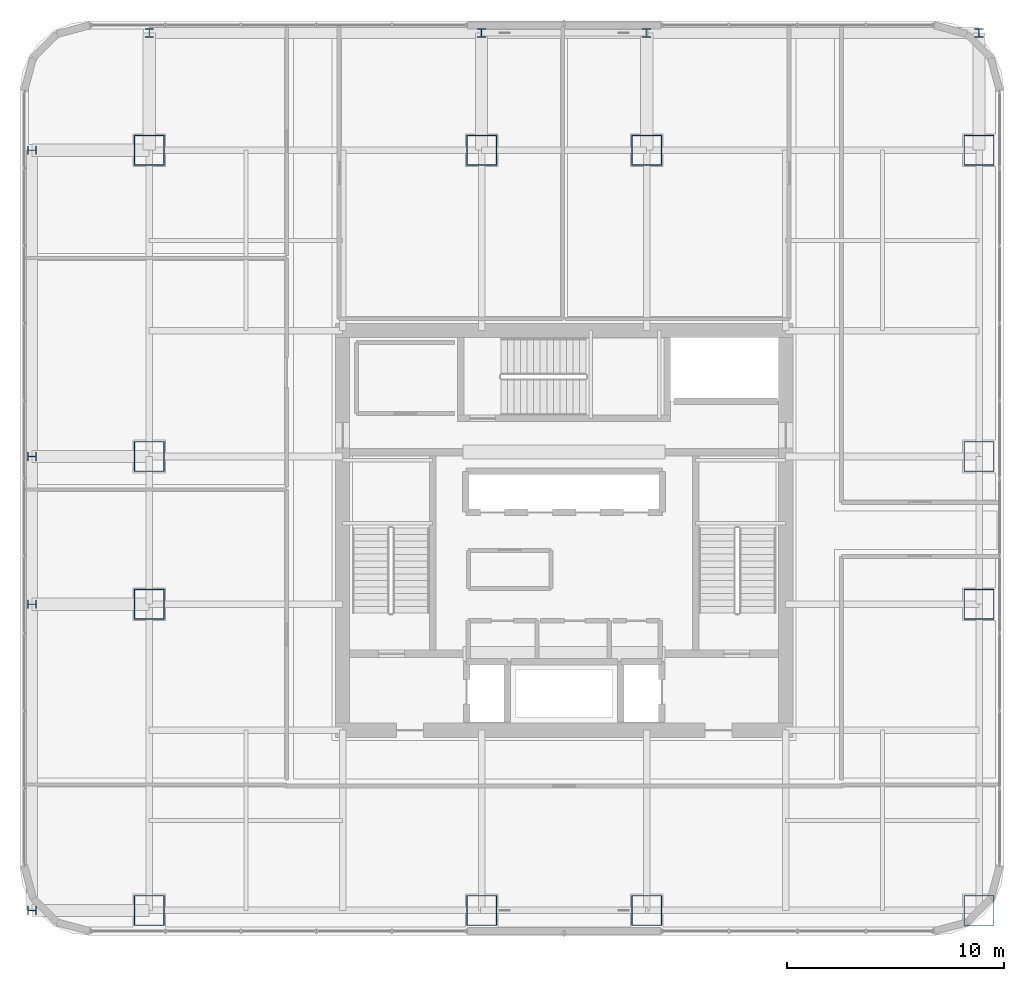
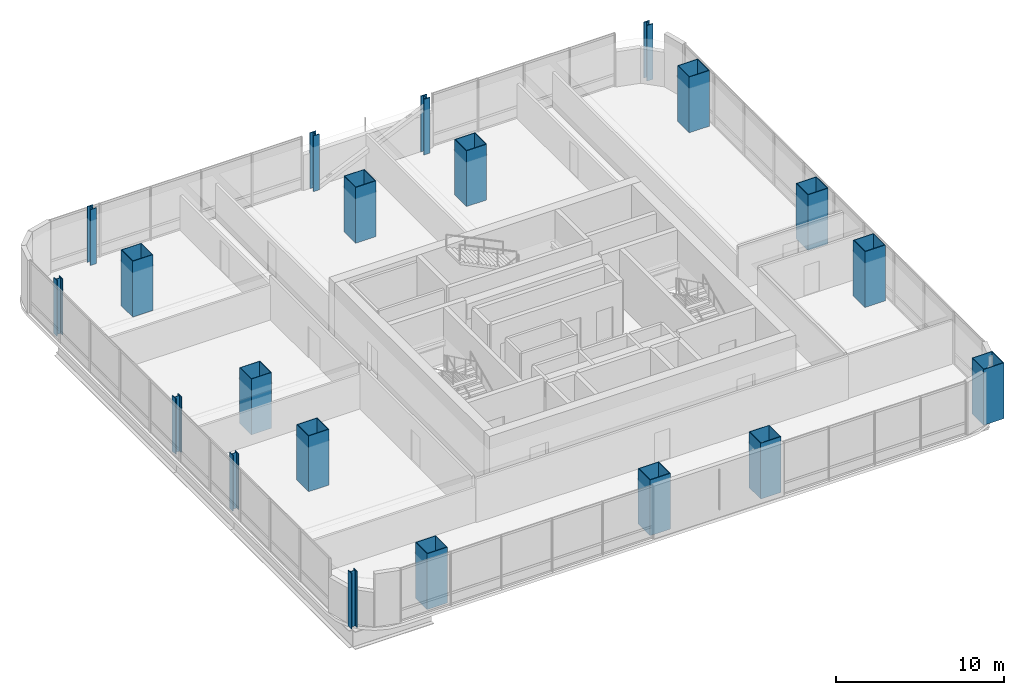
# One storey, part 1 of 38: 20 columns.
"""IFC4 building model written with IfcOpenShell, lengths in metres."""

from ifc_helpers import new_model, si_unit, direction, frame, origin, origin_2d, place, context, subcontext, project, spatial, hollow_rectangle, i_section, extrude, material, material_profile, profile_set, type_object, element, save


model = new_model("IFC4")

# Units and contexts
model_context = context("Model", 3, precision=1e-05, world=origin(), true_north=direction((0.0, 1.0)))
body_context = subcontext(model_context, "Body", "Model", "MODEL_VIEW")
ifc_project = project(units=[si_unit("LENGTHUNIT", "METRE"), si_unit("AREAUNIT", "SQUARE_METRE"), si_unit("VOLUMEUNIT", "CUBIC_METRE"), si_unit("PLANEANGLEUNIT", "RADIAN"), si_unit("MASSUNIT", "GRAM", prefix="KILO")], contexts=[model_context])

# Site, building, storey
site_placement = place(None, origin())
site = spatial("IfcSite", under=ifc_project, at=site_placement, CompositionType="ELEMENT")
building_placement = place(site_placement, origin())
building = spatial("IfcBuilding", under=site, at=building_placement, Name="Punatoya Terracotta Tower", CompositionType="ELEMENT")
storey_placement = place(building_placement, frame((0.0, 0.0, 156.0)))
storey = spatial("IfcBuildingStorey", under=building, at=storey_placement, Name="L36", CompositionType="ELEMENT", Elevation=156.0)

# Columns
ifc_material = material(Name="Steel S460", Category="steel")
ifc_material_profile_1 = material_profile(ifc_material, i_section(OverallWidth=0.408935546875, OverallDepth=0.425048828125, WebThickness=0.031982421875, FlangeThickness=0.052001953125, FilletRadius=0.01806640625, at=origin_2d()))
ifc_profile_set_1 = profile_set([ifc_material_profile_1], Name="Steel S460")
column_type_1 = type_object("IfcColumnType", Name="COL-EX-M2", PredefinedType="COLUMN", material=ifc_profile_set_1)
for number, where, z_axis, x_axis, name in (
    (1, (-19.10009765625, 22.89990234375, 0.0), (0.0, 0.0, 1.0), (1.0, 0.0, 0.0), "L36 Exoskeleton Perimeter Column N1"),
    (2, (-3.800048828125, 22.89990234375, 0.0), (0.0, 0.0, 1.0), (1.0, 0.0, 0.0), "L36 Exoskeleton Perimeter Column N2"),
    (3, (3.800048828125, 22.89990234375, 0.0), (0.0, 0.0, 1.0), (1.0, 0.0, 0.0), "L36 Exoskeleton Perimeter Column N3"),
    (4, (19.10009765625, 22.89990234375, 0.0), (0.0, 0.0, 1.0), (1.0, 0.0, 0.0), "L36 Exoskeleton Perimeter Column N4"),
    (5, (-24.5, -17.5, 0.0), (0.0, 0.0, 1.0), (0.0, 1.0, 0.0), "L36 Exoskeleton Perimeter Column W1"),
    (6, (-24.5, -3.39990234375, 0.0), (0.0, 0.0, 1.0), (0.0, 1.0, 0.0), "L36 Exoskeleton Perimeter Column W2"),
    (7, (-24.5, 3.39990234375, 0.0), (0.0, 0.0, 1.0), (0.0, 1.0, 0.0), "L36 Exoskeleton Perimeter Column W3"),
    (8, (-24.5, 17.5, 0.0), (0.0, 0.0, 1.0), (0.0, 1.0, 0.0), "L36 Exoskeleton Perimeter Column W4"),
):
    element("IfcColumn", number, at=place(storey_placement, frame(where, z_axis=z_axis, x_axis=x_axis)), inside=storey, type_object=column_type_1, Name=name, PredefinedType="COLUMN", context=body_context, shape_type="SweptSolid", body=[
        extrude(i_section(OverallWidth=0.408935546875, OverallDepth=0.425048828125, WebThickness=0.031982421875, FlangeThickness=0.052001953125, FilletRadius=0.01806640625, at=origin_2d()), origin(), (0.0, 0.0, 1.0), 4.048095703125),
    ])
ifc_material_profile_2 = material_profile(ifc_material, hollow_rectangle(XDim=1.39990234375, YDim=1.39990234375, WallThickness=0.0419921875, at=origin_2d()))
ifc_profile_set_2 = profile_set([ifc_material_profile_2], Name="Steel S460")
column_type_2 = type_object("IfcColumnType", Name="COL-MC-Z2", PredefinedType="COLUMN", material=ifc_profile_set_2)
for number, where, z_axis, x_axis, name in (
    (9, (-19.10009765625, -17.5, 0.0), (0.0, 0.0, 1.0), (1.0, 0.0, 0.0), "L36 Composite Mega-Column MC-01 (3-B)"),
    (10, (-3.800048828125, -17.5, 0.0), (0.0, 0.0, 1.0), (1.0, 0.0, 0.0), "L36 Composite Mega-Column MC-02 (5-B)"),
    (11, (3.800048828125, -17.5, 0.0), (0.0, 0.0, 1.0), (1.0, 0.0, 0.0), "L36 Composite Mega-Column MC-03 (7-B)"),
    (12, (19.10009765625, -17.5, 0.0), (0.0, 0.0, 1.0), (1.0, 0.0, 0.0), "L36 Composite Mega-Column MC-04 (9-B)"),
    (13, (19.10009765625, -3.39990234375, 0.0), (0.0, 0.0, 1.0), (1.0, 0.0, 0.0), "L36 Composite Mega-Column MC-05 (9-D)"),
    (14, (19.10009765625, 3.39990234375, 0.0), (0.0, 0.0, 1.0), (1.0, 0.0, 0.0), "L36 Composite Mega-Column MC-06 (9-E)"),
    (15, (19.10009765625, 17.5, 0.0), (0.0, 0.0, 1.0), (1.0, 0.0, 0.0), "L36 Composite Mega-Column MC-07 (9-G)"),
    (16, (3.800048828125, 17.5, 0.0), (0.0, 0.0, 1.0), (1.0, 0.0, 0.0), "L36 Composite Mega-Column MC-08 (7-G)"),
    (17, (-3.800048828125, 17.5, 0.0), (0.0, 0.0, 1.0), (1.0, 0.0, 0.0), "L36 Composite Mega-Column MC-09 (5-G)"),
    (18, (-19.10009765625, 17.5, 0.0), (0.0, 0.0, 1.0), (1.0, 0.0, 0.0), "L36 Composite Mega-Column MC-10 (3-G)"),
    (19, (-19.10009765625, 3.39990234375, 0.0), (0.0, 0.0, 1.0), (1.0, 0.0, 0.0), "L36 Composite Mega-Column MC-11 (3-E)"),
    (20, (-19.10009765625, -3.39990234375, 0.0), (0.0, 0.0, 1.0), (1.0, 0.0, 0.0), "L36 Composite Mega-Column MC-12 (3-D)"),
):
    element("IfcColumn", number, at=place(storey_placement, frame(where, z_axis=z_axis, x_axis=x_axis)), inside=storey, type_object=column_type_2, Name=name, PredefinedType="COLUMN", context=body_context, shape_type="SweptSolid", body=[
        extrude(hollow_rectangle(XDim=1.39990234375, YDim=1.39990234375, WallThickness=0.0419921875, at=origin_2d()), origin(), (0.0, 0.0, 1.0), 4.050048828125),
    ])

save(model, "model.ifc")
